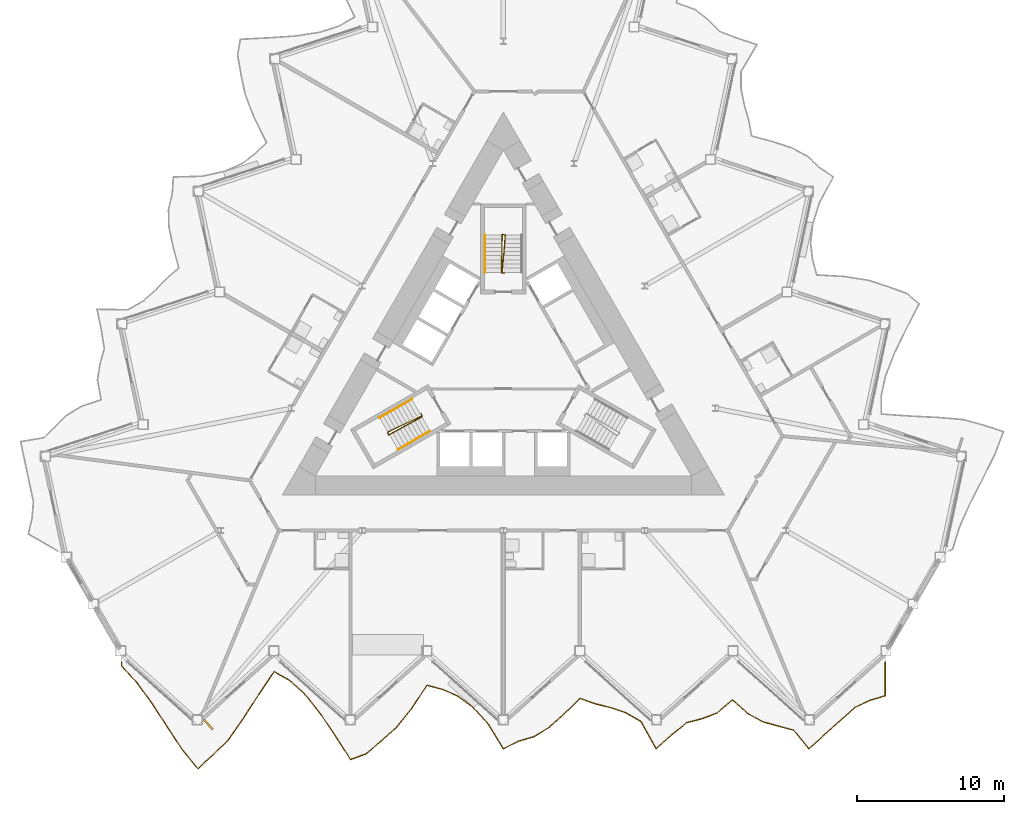
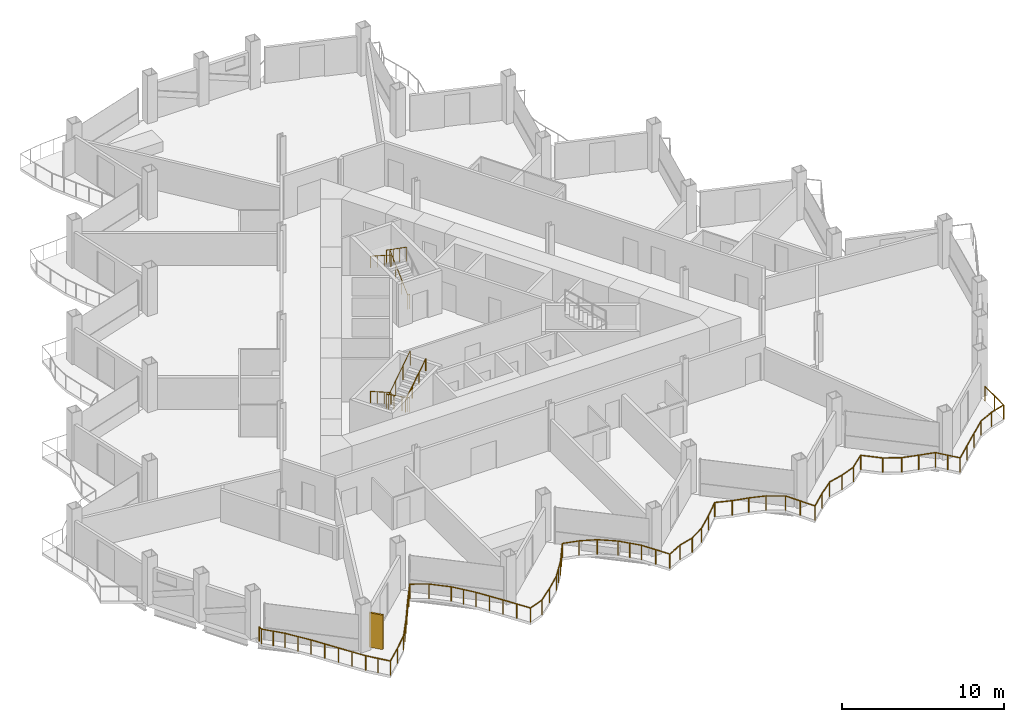
# One storey, part 19 of 23: 6 railings, 1 shading device.
"""IFC4 building model written with IfcOpenShell, lengths in metres."""

from ifc_helpers import new_model, si_unit, direction, frame, origin, origin_2d, place, context, subcontext, project, spatial, rectangle, circle, extrude, material, layer, layer_set, type_object, element, save


model = new_model("IFC4")

# Units and contexts
model_context = context("Model", 3, precision=1e-05, world=origin(), true_north=direction((0.0, 1.0)))
body_context = subcontext(model_context, "Body", "Model", "MODEL_VIEW")
ifc_project = project(units=[si_unit("LENGTHUNIT", "METRE"), si_unit("AREAUNIT", "SQUARE_METRE"), si_unit("VOLUMEUNIT", "CUBIC_METRE"), si_unit("PLANEANGLEUNIT", "RADIAN"), si_unit("MASSUNIT", "GRAM", prefix="KILO")], contexts=[model_context])

# Site, building, storey
site_placement = place(None, origin())
site = spatial("IfcSite", under=ifc_project, at=site_placement, CompositionType="ELEMENT")
building_placement = place(site_placement, origin())
building = spatial("IfcBuilding", under=site, at=building_placement, Name="Cormorant Prow Tower", CompositionType="ELEMENT")
storey_placement = place(building_placement, frame((0.0, 0.0, 252.60009765625)))
storey = spatial("IfcBuildingStorey", under=building, at=storey_placement, Name="L56", CompositionType="ELEMENT", Elevation=252.60009765625)

# Railings
ifc_material_1 = material(Name="Aluminium 6063-T6", Category="aluminium")
railing_type_1 = type_object("IfcRailingType", Name="Balcony guard 1100", PredefinedType="GUARDRAIL", material=ifc_material_1)
railing_1_placement = place(storey_placement, frame((-25.8974609375, -19.973388671875, 0.0)))
element("IfcRailing", 1, at=railing_1_placement, inside=storey, type_object=railing_type_1, Name="Balcony guard S", PredefinedType="GUARDRAIL", context=body_context, shape_type="SweptSolid", body=[
    extrude(circle(Radius=0.02392578125, at=origin_2d()), frame((0.0, 0.0, 1.076171875), z_axis=(0.0, -1.0, 0.0), x_axis=(1.0, 0.0, 0.0)), (0.0, 0.0, 1.0), 0.27001953125),
    extrude(circle(Radius=0.02392578125, at=origin_2d()), frame((0.0, -0.27001953125, 1.076171875), z_axis=(0.680481856102, -0.732764930599, 0.0), x_axis=(0.732764930599, 0.680481856102, 0.0)), (0.0, 0.0, 1.0), 1.522216796875),
    extrude(circle(Radius=0.02392578125, at=origin_2d()), frame((1.035888671875, -1.385498046875, 1.076171875), z_axis=(0.587389439089, -0.809304421616, 0.0), x_axis=(0.809304421616, 0.587389439089, 0.0)), (0.0, 0.0, 1.0), 1.763427734375),
    extrude(circle(Radius=0.02392578125, at=origin_2d()), frame((2.07177734375, -2.812744140625, 1.076171875), z_axis=(0.544735618128, -0.838607838231, 0.0), x_axis=(0.838607838231, 0.544735618128, 0.0)), (0.0, 0.0, 1.0), 1.901611328125),
    extrude(circle(Radius=0.02392578125, at=origin_2d()), frame((3.107666015625, -4.407470703125, 1.076171875), z_axis=(0.551068360191, -0.83446010234, 0.0), x_axis=(0.83446010234, 0.551068360191, 0.0)), (0.0, 0.0, 1.0), 1.8798828125),
    extrude(circle(Radius=0.02392578125, at=origin_2d()), frame((4.1435546875, -5.97607421875, 1.076171875), z_axis=(0.635723007907, -0.771917260603, 0.0), x_axis=(0.771917260603, 0.635723007907, 0.0)), (0.0, 0.0, 1.0), 1.62939453125),
    extrude(circle(Radius=0.02392578125, at=origin_2d()), frame((5.179443359375, -7.23388671875, 1.076171875), z_axis=(0.743093821491, 0.669187247683, 0.0), x_axis=(-0.669187247683, 0.743093821491, 0.0)), (0.0, 0.0, 1.0), 1.39404296875),
    extrude(circle(Radius=0.02392578125, at=origin_2d()), frame((6.21533203125, -6.301025390625, 1.076171875), z_axis=(0.712963473906, 0.701201172899, 0.0), x_axis=(-0.701201172899, 0.712963473906, 0.0)), (0.0, 0.0, 1.0), 1.452880859375),
    extrude(circle(Radius=0.02392578125, at=origin_2d()), frame((7.251220703125, -5.2822265625, 1.076171875), z_axis=(0.571399825957, 0.820671821678, 0.0), x_axis=(-0.820671821678, 0.571399825957, 0.0)), (0.0, 0.0, 1.0), 1.81298828125),
    extrude(circle(Radius=0.02392578125, at=origin_2d()), frame((8.287109375, -3.79443359375, 1.076171875), z_axis=(0.541699329154, 0.840572326926, 0.0), x_axis=(-0.840572326926, 0.541699329154, 0.0)), (0.0, 0.0, 1.0), 1.912353515625),
    extrude(circle(Radius=0.02392578125, at=origin_2d()), frame((9.322998046875, -2.18701171875, 1.076171875), z_axis=(0.560754630421, 0.827982031484, 0.0), x_axis=(-0.827982031484, 0.560754630421, 0.0)), (0.0, 0.0, 1.0), 1.847412109375),
    extrude(circle(Radius=0.02392578125, at=origin_2d()), frame((10.35888671875, -0.657470703125, 1.076171875), z_axis=(0.869702561761, -0.493576188715, 0.0), x_axis=(0.493576188715, 0.869702561761, 0.0)), (0.0, 0.0, 1.0), 1.191162109375),
    extrude(circle(Radius=0.02392578125, at=origin_2d()), frame((11.394775390625, -1.245361328125, 1.076171875), z_axis=(0.740224191917, -0.672360130957, 0.0), x_axis=(0.672360130957, 0.740224191917, 0.0)), (0.0, 0.0, 1.0), 1.3994140625),
    extrude(circle(Radius=0.02392578125, at=origin_2d()), frame((12.4306640625, -2.186279296875, 1.076171875), z_axis=(0.625755603892, -0.780019181943, 0.0), x_axis=(0.780019181943, 0.625755603892, 0.0)), (0.0, 0.0, 1.0), 1.655517578125),
    extrude(circle(Radius=0.02392578125, at=origin_2d()), frame((13.466552734375, -3.4775390625, 1.076171875), z_axis=(0.558918446338, -0.829222630144, 0.0), x_axis=(0.829222630144, 0.558918446338, 0.0)), (0.0, 0.0, 1.0), 1.853271484375),
    extrude(circle(Radius=0.02392578125, at=origin_2d()), frame((14.50244140625, -5.014404296875, 1.076171875), z_axis=(0.542080319834, -0.840326678649, 0.0), x_axis=(0.840326678649, 0.542080319834, 0.0)), (0.0, 0.0, 1.0), 1.911376953125),
    extrude(circle(Radius=0.02392578125, at=origin_2d()), frame((15.53857421875, -6.62060546875, 1.076171875), z_axis=(0.936773013032, 0.349937597373, 0.0), x_axis=(-0.349937597373, 0.936773013032, 0.0)), (0.0, 0.0, 1.0), 1.105712890625),
    extrude(circle(Radius=0.02392578125, at=origin_2d()), frame((16.574462890625, -6.233642578125, 1.076171875), z_axis=(0.767494280324, 0.641055792946, 0.0), x_axis=(-0.641055792946, 0.767494280324, 0.0)), (0.0, 0.0, 1.0), 1.349609375),
    extrude(circle(Radius=0.02392578125, at=origin_2d()), frame((17.6103515625, -5.368408203125, 1.076171875), z_axis=(0.743093821491, 0.669187247683, 0.0), x_axis=(-0.669187247683, 0.743093821491, 0.0)), (0.0, 0.0, 1.0), 1.39404296875),
    extrude(circle(Radius=0.02392578125, at=origin_2d()), frame((18.646240234375, -4.435546875, 1.076171875), z_axis=(0.6284991437, 0.77781027659, 0.0), x_axis=(-0.77781027659, 0.6284991437, 0.0)), (0.0, 0.0, 1.0), 1.648193359375),
    extrude(circle(Radius=0.02392578125, at=origin_2d()), frame((19.68212890625, -3.153564453125, 1.076171875), z_axis=(0.549756895545, 0.83532470082, 0.0), x_axis=(-0.83532470082, 0.549756895545, 0.0)), (0.0, 0.0, 1.0), 1.88427734375),
    extrude(circle(Radius=0.02392578125, at=origin_2d()), frame((20.718017578125, -1.57958984375, 1.076171875), z_axis=(0.966713515695, -0.255861248674, 0.0), x_axis=(0.255861248674, 0.966713515695, 0.0)), (0.0, 0.0, 1.0), 1.071533203125),
    extrude(circle(Radius=0.02392578125, at=origin_2d()), frame((21.75390625, -1.853759765625, 1.076171875), z_axis=(0.917447781883, -0.397856214628, 0.0), x_axis=(0.397856214628, 0.917447781883, 0.0)), (0.0, 0.0, 1.0), 1.129150390625),
    extrude(circle(Radius=0.02392578125, at=origin_2d()), frame((22.789794921875, -2.302978515625, 1.076171875), z_axis=(0.804187958149, -0.594375073475, 0.0), x_axis=(0.594375073475, 0.804187958149, 0.0)), (0.0, 0.0, 1.0), 1.2880859375),
    extrude(circle(Radius=0.02392578125, at=origin_2d()), frame((23.82568359375, -3.068603515625, 1.076171875), z_axis=(0.675465068493, -0.737391986155, 0.0), x_axis=(0.737391986155, 0.675465068493, 0.0)), (0.0, 0.0, 1.0), 1.53369140625),
    extrude(circle(Radius=0.02392578125, at=origin_2d()), frame((24.861572265625, -4.199462890625, 1.076171875), z_axis=(0.523870079516, -0.851798180198, 0.0), x_axis=(0.851798180198, 0.523870079516, 0.0)), (0.0, 0.0, 1.0), 1.977294921875),
    extrude(circle(Radius=0.02392578125, at=origin_2d()), frame((25.8974609375, -5.8837890625, 1.076171875), z_axis=(0.895816294336, 0.444424534428, 0.0), x_axis=(-0.444424534428, 0.895816294336, 0.0)), (0.0, 0.0, 1.0), 1.15625),
    extrude(circle(Radius=0.02392578125, at=origin_2d()), frame((26.933349609375, -5.369873046875, 1.076171875), z_axis=(0.959911268083, 0.28030404458, 0.0), x_axis=(-0.28030404458, 0.959911268083, 0.0)), (0.0, 0.0, 1.0), 1.0791015625),
    extrude(circle(Radius=0.02392578125, at=origin_2d()), frame((27.96923828125, -5.0673828125, 1.076171875), z_axis=(0.853724183098, 0.520725473924, 0.0), x_axis=(-0.520725473924, 0.853724183098, 0.0)), (0.0, 0.0, 1.0), 1.21337890625),
    extrude(circle(Radius=0.02392578125, at=origin_2d()), frame((29.005126953125, -4.435546875, 1.076171875), z_axis=(0.743180914128, 0.669090523678, 0.0), x_axis=(-0.669090523678, 0.743180914128, 0.0)), (0.0, 0.0, 1.0), 1.393798828125),
    extrude(circle(Radius=0.02392578125, at=origin_2d()), frame((30.041015625, -3.5029296875, 1.076171875), z_axis=(0.7063572428, 0.707855525898, 0.0), x_axis=(-0.707855525898, 0.7063572428, 0.0)), (0.0, 0.0, 1.0), 1.466552734375),
    extrude(circle(Radius=0.02392578125, at=origin_2d()), frame((31.076904296875, -2.46484375, 1.076171875), z_axis=(0.94211808637, -0.335281242145, 0.0), x_axis=(0.335281242145, 0.94211808637, 0.0)), (0.0, 0.0, 1.0), 1.099609375),
    extrude(circle(Radius=0.02392578125, at=origin_2d()), frame((32.11279296875, -2.83349609375, 1.076171875), z_axis=(0.970504690177, -0.241082239794, 0.0), x_axis=(0.241082239794, 0.970504690177, 0.0)), (0.0, 0.0, 1.0), 1.0673828125),
    extrude(circle(Radius=0.02392578125, at=origin_2d()), frame((33.148681640625, -3.0908203125, 1.076171875), z_axis=(0.949174297029, -0.314750939411, 0.0), x_axis=(0.314750939411, 0.949174297029, 0.0)), (0.0, 0.0, 1.0), 1.09130859375),
    extrude(circle(Radius=0.02392578125, at=origin_2d()), frame((34.1845703125, -3.434326171875, 1.076171875), z_axis=(0.864583362877, -0.502489411467, 0.0), x_axis=(0.502489411467, 0.864583362877, 0.0)), (0.0, 0.0, 1.0), 1.1982421875),
    extrude(circle(Radius=0.02392578125, at=origin_2d()), frame((35.220458984375, -4.036376953125, 1.076171875), z_axis=(0.489084165063, -0.872236596048, 0.0), x_axis=(0.872236596048, 0.489084165063, 0.0)), (0.0, 0.0, 1.0), 2.117919921875),
    extrude(circle(Radius=0.02392578125, at=origin_2d()), frame((36.25634765625, -5.8837890625, 1.076171875), z_axis=(0.743172233243, 0.669100165698, 0.0), x_axis=(-0.669100165698, 0.743172233243, 0.0)), (0.0, 0.0, 1.0), 1.394287109375),
    extrude(circle(Radius=0.02392578125, at=origin_2d()), frame((37.29248046875, -4.950927734375, 1.076171875), z_axis=(0.776779953516, 0.629772104666, 0.0), x_axis=(-0.629772104666, 0.776779953516, 0.0)), (0.0, 0.0, 1.0), 1.33349609375),
    extrude(circle(Radius=0.02392578125, at=origin_2d()), frame((38.328369140625, -4.111083984375, 1.076171875), z_axis=(0.969697239778, 0.244309768872, 0.0), x_axis=(-0.244309768872, 0.969697239778, 0.0)), (0.0, 0.0, 1.0), 1.068359375),
    extrude(circle(Radius=0.02392578125, at=origin_2d()), frame((39.3642578125, -3.85009765625, 1.076171875), z_axis=(0.933928683632, 0.357459387749, 0.0), x_axis=(-0.357459387749, 0.933928683632, 0.0)), (0.0, 0.0, 1.0), 1.109130859375),
    extrude(circle(Radius=0.02392578125, at=origin_2d()), frame((40.400146484375, -3.45361328125, 1.076171875), z_axis=(0.760836555937, 0.648943553131, 0.0), x_axis=(-0.648943553131, 0.760836555937, 0.0)), (0.0, 0.0, 1.0), 1.361572265625),
    extrude(circle(Radius=0.02392578125, at=origin_2d()), frame((41.43603515625, -2.570068359375, 1.076171875), z_axis=(0.743093821491, -0.669187247683, 0.0), x_axis=(0.669187247683, 0.743093821491, 0.0)), (0.0, 0.0, 1.0), 1.39404296875),
    extrude(circle(Radius=0.02392578125, at=origin_2d()), frame((42.471923828125, -3.5029296875, 1.076171875), z_axis=(0.880271170731, -0.474470932703, 0.0), x_axis=(0.474470932703, 0.880271170731, 0.0)), (0.0, 0.0, 1.0), 1.1767578125),
    extrude(circle(Radius=0.02392578125, at=origin_2d()), frame((43.5078125, -4.061279296875, 1.076171875), z_axis=(0.963787522925, -0.266671353268, 0.0), x_axis=(0.266671353268, 0.963787522925, 0.0)), (0.0, 0.0, 1.0), 1.07470703125),
    extrude(circle(Radius=0.02392578125, at=origin_2d()), frame((44.543701171875, -4.347900390625, 1.076171875), z_axis=(0.965806701137, -0.259263217675, 0.0), x_axis=(0.259263217675, 0.965806701137, 0.0)), (0.0, 0.0, 1.0), 1.072509765625),
    extrude(circle(Radius=0.02392578125, at=origin_2d()), frame((45.57958984375, -4.6259765625, 1.076171875), z_axis=(0.635723007907, -0.771917260603, 0.0), x_axis=(0.771917260603, 0.635723007907, 0.0)), (0.0, 0.0, 1.0), 1.62939453125),
    extrude(circle(Radius=0.02392578125, at=origin_2d()), frame((46.615478515625, -5.8837890625, 1.076171875), z_axis=(0.743093821491, 0.669187247683, 0.0), x_axis=(-0.669187247683, 0.743093821491, 0.0)), (0.0, 0.0, 1.0), 1.39404296875),
    extrude(circle(Radius=0.02392578125, at=origin_2d()), frame((47.6513671875, -4.950927734375, 1.076171875), z_axis=(0.743180914128, 0.669090523678, 0.0), x_axis=(-0.669090523678, 0.743180914128, 0.0)), (0.0, 0.0, 1.0), 1.393798828125),
    extrude(circle(Radius=0.02392578125, at=origin_2d()), frame((48.687255859375, -4.018310546875, 1.076171875), z_axis=(0.743180914128, 0.669090523678, 0.0), x_axis=(-0.669090523678, 0.743180914128, 0.0)), (0.0, 0.0, 1.0), 1.393798828125),
    extrude(circle(Radius=0.02392578125, at=origin_2d()), frame((49.72314453125, -3.085693359375, 1.076171875), z_axis=(0.90586107613, 0.423574917521, 0.0), x_axis=(-0.423574917521, 0.90586107613, 0.0)), (0.0, 0.0, 1.0), 1.1435546875),
    extrude(circle(Radius=0.02392578125, at=origin_2d()), frame((50.759033203125, -2.601318359375, 1.076171875), z_axis=(0.958439578878, 0.285295589942, 0.0), x_axis=(-0.285295589942, 0.958439578878, 0.0)), (0.0, 0.0, 1.0), 1.080810546875),
    extrude(circle(Radius=0.02392578125, at=origin_2d()), frame((51.794921875, -2.29296875, 1.076171875), z_axis=(0.0, 1.0, 0.0), x_axis=(-1.0, 0.0, 0.0)), (0.0, 0.0, 1.0), 2.29296875),
    extrude(circle(Radius=0.02099609375, at=origin_2d()), origin(), (0.0, 0.0, 1.0), 1.052001953125),
    extrude(circle(Radius=0.02099609375, at=origin_2d()), frame((0.0, -0.27001953125, 0.0)), (0.0, 0.0, 1.0), 1.052001953125),
    extrude(circle(Radius=0.02099609375, at=origin_2d()), frame((0.51806640625, -0.82763671875, 0.0)), (0.0, 0.0, 1.0), 1.052001953125),
    extrude(circle(Radius=0.02099609375, at=origin_2d()), frame((1.035888671875, -1.385498046875, 0.0)), (0.0, 0.0, 1.0), 1.052001953125),
    extrude(circle(Radius=0.02099609375, at=origin_2d()), frame((1.5537109375, -2.09912109375, 0.0)), (0.0, 0.0, 1.0), 1.052001953125),
    extrude(circle(Radius=0.02099609375, at=origin_2d()), frame((2.07177734375, -2.812744140625, 0.0)), (0.0, 0.0, 1.0), 1.052001953125),
    extrude(circle(Radius=0.02099609375, at=origin_2d()), frame((2.58984375, -3.610107421875, 0.0)), (0.0, 0.0, 1.0), 1.052001953125),
    extrude(circle(Radius=0.02099609375, at=origin_2d()), frame((3.107666015625, -4.407470703125, 0.0)), (0.0, 0.0, 1.0), 1.052001953125),
    extrude(circle(Radius=0.02099609375, at=origin_2d()), frame((3.62548828125, -5.19189453125, 0.0)), (0.0, 0.0, 1.0), 1.052001953125),
    extrude(circle(Radius=0.02099609375, at=origin_2d()), frame((4.1435546875, -5.97607421875, 0.0)), (0.0, 0.0, 1.0), 1.052001953125),
    extrude(circle(Radius=0.02099609375, at=origin_2d()), frame((4.66162109375, -6.60498046875, 0.0)), (0.0, 0.0, 1.0), 1.052001953125),
    extrude(circle(Radius=0.02099609375, at=origin_2d()), frame((5.179443359375, -7.23388671875, 0.0)), (0.0, 0.0, 1.0), 1.052001953125),
    extrude(circle(Radius=0.02099609375, at=origin_2d()), frame((6.21533203125, -6.301025390625, 0.0)), (0.0, 0.0, 1.0), 1.052001953125),
    extrude(circle(Radius=0.02099609375, at=origin_2d()), frame((7.251220703125, -5.2822265625, 0.0)), (0.0, 0.0, 1.0), 1.052001953125),
    extrude(circle(Radius=0.02099609375, at=origin_2d()), frame((7.76904296875, -4.538330078125, 0.0)), (0.0, 0.0, 1.0), 1.052001953125),
    extrude(circle(Radius=0.02099609375, at=origin_2d()), frame((8.287109375, -3.79443359375, 0.0)), (0.0, 0.0, 1.0), 1.052001953125),
    extrude(circle(Radius=0.02099609375, at=origin_2d()), frame((8.80517578125, -2.99072265625, 0.0)), (0.0, 0.0, 1.0), 1.052001953125),
    extrude(circle(Radius=0.02099609375, at=origin_2d()), frame((9.322998046875, -2.18701171875, 0.0)), (0.0, 0.0, 1.0), 1.052001953125),
    extrude(circle(Radius=0.02099609375, at=origin_2d()), frame((9.8408203125, -1.42236328125, 0.0)), (0.0, 0.0, 1.0), 1.052001953125),
    extrude(circle(Radius=0.02099609375, at=origin_2d()), frame((10.35888671875, -0.657470703125, 0.0)), (0.0, 0.0, 1.0), 1.052001953125),
    extrude(circle(Radius=0.02099609375, at=origin_2d()), frame((11.394775390625, -1.245361328125, 0.0)), (0.0, 0.0, 1.0), 1.052001953125),
    extrude(circle(Radius=0.02099609375, at=origin_2d()), frame((12.4306640625, -2.186279296875, 0.0)), (0.0, 0.0, 1.0), 1.052001953125),
    extrude(circle(Radius=0.02099609375, at=origin_2d()), frame((12.94873046875, -2.83203125, 0.0)), (0.0, 0.0, 1.0), 1.052001953125),
    extrude(circle(Radius=0.02099609375, at=origin_2d()), frame((13.466552734375, -3.4775390625, 0.0)), (0.0, 0.0, 1.0), 1.052001953125),
    extrude(circle(Radius=0.02099609375, at=origin_2d()), frame((13.984375, -4.24609375, 0.0)), (0.0, 0.0, 1.0), 1.052001953125),
    extrude(circle(Radius=0.02099609375, at=origin_2d()), frame((14.50244140625, -5.014404296875, 0.0)), (0.0, 0.0, 1.0), 1.052001953125),
    extrude(circle(Radius=0.02099609375, at=origin_2d()), frame((15.0205078125, -5.8173828125, 0.0)), (0.0, 0.0, 1.0), 1.052001953125),
    extrude(circle(Radius=0.02099609375, at=origin_2d()), frame((15.53857421875, -6.62060546875, 0.0)), (0.0, 0.0, 1.0), 1.052001953125),
    extrude(circle(Radius=0.02099609375, at=origin_2d()), frame((16.574462890625, -6.233642578125, 0.0)), (0.0, 0.0, 1.0), 1.052001953125),
    extrude(circle(Radius=0.02099609375, at=origin_2d()), frame((17.6103515625, -5.368408203125, 0.0)), (0.0, 0.0, 1.0), 1.052001953125),
    extrude(circle(Radius=0.02099609375, at=origin_2d()), frame((18.646240234375, -4.435546875, 0.0)), (0.0, 0.0, 1.0), 1.052001953125),
    extrude(circle(Radius=0.02099609375, at=origin_2d()), frame((19.1640625, -3.79443359375, 0.0)), (0.0, 0.0, 1.0), 1.052001953125),
    extrude(circle(Radius=0.02099609375, at=origin_2d()), frame((19.68212890625, -3.153564453125, 0.0)), (0.0, 0.0, 1.0), 1.052001953125),
    extrude(circle(Radius=0.02099609375, at=origin_2d()), frame((20.2001953125, -2.36669921875, 0.0)), (0.0, 0.0, 1.0), 1.052001953125),
    extrude(circle(Radius=0.02099609375, at=origin_2d()), frame((20.718017578125, -1.57958984375, 0.0)), (0.0, 0.0, 1.0), 1.052001953125),
    extrude(circle(Radius=0.02099609375, at=origin_2d()), frame((21.75390625, -1.853759765625, 0.0)), (0.0, 0.0, 1.0), 1.052001953125),
    extrude(circle(Radius=0.02099609375, at=origin_2d()), frame((22.789794921875, -2.302978515625, 0.0)), (0.0, 0.0, 1.0), 1.052001953125),
    extrude(circle(Radius=0.02099609375, at=origin_2d()), frame((23.82568359375, -3.068603515625, 0.0)), (0.0, 0.0, 1.0), 1.052001953125),
    extrude(circle(Radius=0.02099609375, at=origin_2d()), frame((24.34375, -3.634033203125, 0.0)), (0.0, 0.0, 1.0), 1.052001953125),
    extrude(circle(Radius=0.02099609375, at=origin_2d()), frame((24.861572265625, -4.199462890625, 0.0)), (0.0, 0.0, 1.0), 1.052001953125),
    extrude(circle(Radius=0.02099609375, at=origin_2d()), frame((25.37939453125, -5.04150390625, 0.0)), (0.0, 0.0, 1.0), 1.052001953125),
    extrude(circle(Radius=0.02099609375, at=origin_2d()), frame((25.8974609375, -5.8837890625, 0.0)), (0.0, 0.0, 1.0), 1.052001953125),
    extrude(circle(Radius=0.02099609375, at=origin_2d()), frame((26.933349609375, -5.369873046875, 0.0)), (0.0, 0.0, 1.0), 1.052001953125),
    extrude(circle(Radius=0.02099609375, at=origin_2d()), frame((27.96923828125, -5.0673828125, 0.0)), (0.0, 0.0, 1.0), 1.052001953125),
    extrude(circle(Radius=0.02099609375, at=origin_2d()), frame((29.005126953125, -4.435546875, 0.0)), (0.0, 0.0, 1.0), 1.052001953125),
    extrude(circle(Radius=0.02099609375, at=origin_2d()), frame((30.041015625, -3.5029296875, 0.0)), (0.0, 0.0, 1.0), 1.052001953125),
    extrude(circle(Radius=0.02099609375, at=origin_2d()), frame((31.076904296875, -2.46484375, 0.0)), (0.0, 0.0, 1.0), 1.052001953125),
    extrude(circle(Radius=0.02099609375, at=origin_2d()), frame((32.11279296875, -2.83349609375, 0.0)), (0.0, 0.0, 1.0), 1.052001953125),
    extrude(circle(Radius=0.02099609375, at=origin_2d()), frame((33.148681640625, -3.0908203125, 0.0)), (0.0, 0.0, 1.0), 1.052001953125),
    extrude(circle(Radius=0.02099609375, at=origin_2d()), frame((34.1845703125, -3.434326171875, 0.0)), (0.0, 0.0, 1.0), 1.052001953125),
    extrude(circle(Radius=0.02099609375, at=origin_2d()), frame((35.220458984375, -4.036376953125, 0.0)), (0.0, 0.0, 1.0), 1.052001953125),
    extrude(circle(Radius=0.02099609375, at=origin_2d()), frame((35.73828125, -4.9599609375, 0.0)), (0.0, 0.0, 1.0), 1.052001953125),
    extrude(circle(Radius=0.02099609375, at=origin_2d()), frame((36.25634765625, -5.8837890625, 0.0)), (0.0, 0.0, 1.0), 1.052001953125),
    extrude(circle(Radius=0.02099609375, at=origin_2d()), frame((37.29248046875, -4.950927734375, 0.0)), (0.0, 0.0, 1.0), 1.052001953125),
    extrude(circle(Radius=0.02099609375, at=origin_2d()), frame((38.328369140625, -4.111083984375, 0.0)), (0.0, 0.0, 1.0), 1.052001953125),
    extrude(circle(Radius=0.02099609375, at=origin_2d()), frame((39.3642578125, -3.85009765625, 0.0)), (0.0, 0.0, 1.0), 1.052001953125),
    extrude(circle(Radius=0.02099609375, at=origin_2d()), frame((40.400146484375, -3.45361328125, 0.0)), (0.0, 0.0, 1.0), 1.052001953125),
    extrude(circle(Radius=0.02099609375, at=origin_2d()), frame((41.43603515625, -2.570068359375, 0.0)), (0.0, 0.0, 1.0), 1.052001953125),
    extrude(circle(Radius=0.02099609375, at=origin_2d()), frame((42.471923828125, -3.5029296875, 0.0)), (0.0, 0.0, 1.0), 1.052001953125),
    extrude(circle(Radius=0.02099609375, at=origin_2d()), frame((43.5078125, -4.061279296875, 0.0)), (0.0, 0.0, 1.0), 1.052001953125),
    extrude(circle(Radius=0.02099609375, at=origin_2d()), frame((44.543701171875, -4.347900390625, 0.0)), (0.0, 0.0, 1.0), 1.052001953125),
    extrude(circle(Radius=0.02099609375, at=origin_2d()), frame((45.57958984375, -4.6259765625, 0.0)), (0.0, 0.0, 1.0), 1.052001953125),
    extrude(circle(Radius=0.02099609375, at=origin_2d()), frame((46.09765625, -5.2548828125, 0.0)), (0.0, 0.0, 1.0), 1.052001953125),
    extrude(circle(Radius=0.02099609375, at=origin_2d()), frame((46.615478515625, -5.8837890625, 0.0)), (0.0, 0.0, 1.0), 1.052001953125),
    extrude(circle(Radius=0.02099609375, at=origin_2d()), frame((47.6513671875, -4.950927734375, 0.0)), (0.0, 0.0, 1.0), 1.052001953125),
    extrude(circle(Radius=0.02099609375, at=origin_2d()), frame((48.687255859375, -4.018310546875, 0.0)), (0.0, 0.0, 1.0), 1.052001953125),
    extrude(circle(Radius=0.02099609375, at=origin_2d()), frame((49.72314453125, -3.085693359375, 0.0)), (0.0, 0.0, 1.0), 1.052001953125),
    extrude(circle(Radius=0.02099609375, at=origin_2d()), frame((50.759033203125, -2.601318359375, 0.0)), (0.0, 0.0, 1.0), 1.052001953125),
    extrude(circle(Radius=0.02099609375, at=origin_2d()), frame((51.794921875, -2.29296875, 0.0)), (0.0, 0.0, 1.0), 1.052001953125),
    extrude(circle(Radius=0.02099609375, at=origin_2d()), frame((51.794921875, -1.146484375, 0.0)), (0.0, 0.0, 1.0), 1.052001953125),
    extrude(circle(Radius=0.02099609375, at=origin_2d()), frame((51.794921875, 0.0, 0.0)), (0.0, 0.0, 1.0), 1.052001953125),
])
ifc_material_2 = material(Name="Stainless steel", Category="steel")
railing_type_2 = type_object("IfcRailingType", Name="Stair guard 1100", PredefinedType="GUARDRAIL", material=ifc_material_2)
railing_2_placement = place(storey_placement, frame((-5.585205078125, -3.137939453125, 0.0)))
element("IfcRailing", 2, at=railing_2_placement, inside=storey, type_object=railing_type_2, Name="L56 ST1 stair guard 1", PredefinedType="GUARDRAIL", context=body_context, shape_type="SweptSolid", body=[
    extrude(circle(Radius=0.02392578125, at=origin_2d()), frame((0.0, 0.0, 1.076171875), z_axis=(0.501036270542, -0.865426285481, 0.0), x_axis=(0.865426285481, 0.501036270542, 0.0)), (0.0, 0.0, 1.0), 0.150146484375),
    extrude(circle(Radius=0.02392578125, at=origin_2d()), frame((0.0751953125, -0.1298828125, 1.076171875), z_axis=(-0.739739923809, -0.353640102144, 0.572471416997), x_axis=(0.431308035802, -0.902204731895, 0.0)), (0.0, 0.0, 1.0), 3.143798828125),
    extrude(circle(Radius=0.02392578125, at=origin_2d()), frame((-2.25048828125, -1.24169921875, 2.8759765625), z_axis=(0.274721127897, -0.961523947641, 0.0), x_axis=(0.961523947641, 0.274721127897, 0.0)), (0.0, 0.0, 1.0), 0.2060546875),
    extrude(circle(Radius=0.02392578125, at=origin_2d()), frame((-2.19384765625, -1.43994140625, 2.8759765625), z_axis=(0.717223475266, 0.39568267656, 0.573607623727), x_axis=(-0.483052234887, 0.87559153626, 0.0)), (0.0, 0.0, 1.0), 3.13818359375),
    extrude(circle(Radius=0.02099609375, at=origin_2d()), origin(), (0.0, 0.0, 1.0), 1.052001953125),
    extrude(circle(Radius=0.02099609375, at=origin_2d()), frame((0.0751953125, -0.1298828125, 0.0)), (0.0, 0.0, 1.0), 1.052001953125),
    extrude(circle(Radius=0.02099609375, at=origin_2d()), frame((-0.699951171875, -0.50048828125, 0.599853515625)), (0.0, 0.0, 1.0), 1.052001953125),
    extrude(circle(Radius=0.02099609375, at=origin_2d()), frame((-1.475341796875, -0.87109375, 1.199951171875)), (0.0, 0.0, 1.0), 1.052001953125),
    extrude(circle(Radius=0.02099609375, at=origin_2d()), frame((-2.25048828125, -1.24169921875, 1.7998046875)), (0.0, 0.0, 1.0), 1.052001953125),
    extrude(circle(Radius=0.02099609375, at=origin_2d()), frame((-2.19384765625, -1.43994140625, 1.7998046875)), (0.0, 0.0, 1.0), 1.052001953125),
    extrude(circle(Radius=0.02099609375, at=origin_2d()), frame((-1.443603515625, -1.026123046875, 2.39990234375)), (0.0, 0.0, 1.0), 1.052001953125),
    extrude(circle(Radius=0.02099609375, at=origin_2d()), frame((-0.693359375, -0.612060546875, 2.999755859375)), (0.0, 0.0, 1.0), 1.052001953125),
    extrude(circle(Radius=0.02099609375, at=origin_2d()), frame((0.056884765625, -0.1982421875, 3.599853515625)), (0.0, 0.0, 1.0), 1.052001953125),
])
railing_3_placement = place(storey_placement, frame((0.074951171875, 6.40576171875, 0.0)))
element("IfcRailing", 3, at=railing_3_placement, inside=storey, type_object=railing_type_2, Name="L56 ST3 stair guard 1", PredefinedType="GUARDRAIL", context=body_context, shape_type="SweptSolid", body=[
    extrude(circle(Radius=0.02392578125, at=origin_2d()), frame((0.0, 0.0, 1.076171875), z_axis=(-1.0, 0.0, 0.0), x_axis=(0.0, -1.0, 0.0)), (0.0, 0.0, 1.0), 0.14990234375),
    extrude(circle(Radius=0.02392578125, at=origin_2d()), frame((-0.14990234375, 0.0, 1.076171875), z_axis=(0.063598367685, 0.817460337751, 0.572462962848), x_axis=(-0.996987254287, 0.077565551559, 0.0)), (0.0, 0.0, 1.0), 3.14404296875),
    extrude(circle(Radius=0.02392578125, at=origin_2d()), frame((0.050048828125, 2.570068359375, 2.8759765625), z_axis=(-0.970072785993, 0.242814311512, 0.0), x_axis=(-0.242814311512, -0.970072785993, 0.0)), (0.0, 0.0, 1.0), 0.2060546875),
    extrude(circle(Radius=0.02392578125, at=origin_2d()), frame((-0.14990234375, 2.6201171875, 2.8759765625), z_axis=(-0.01594855688, -0.818977845239, 0.573603462805), x_axis=(0.999810440751, -0.019470042781, 0.0)), (0.0, 0.0, 1.0), 3.13818359375),
    extrude(circle(Radius=0.02099609375, at=origin_2d()), origin(), (0.0, 0.0, 1.0), 1.052001953125),
    extrude(circle(Radius=0.02099609375, at=origin_2d()), frame((-0.14990234375, 0.0, 0.0)), (0.0, 0.0, 1.0), 1.052001953125),
    extrude(circle(Radius=0.02099609375, at=origin_2d()), frame((-0.083251953125, 0.856689453125, 0.599853515625)), (0.0, 0.0, 1.0), 1.052001953125),
    extrude(circle(Radius=0.02099609375, at=origin_2d()), frame((-0.0166015625, 1.71337890625, 1.199951171875)), (0.0, 0.0, 1.0), 1.052001953125),
    extrude(circle(Radius=0.02099609375, at=origin_2d()), frame((0.050048828125, 2.570068359375, 1.7998046875)), (0.0, 0.0, 1.0), 1.052001953125),
    extrude(circle(Radius=0.02099609375, at=origin_2d()), frame((-0.14990234375, 2.6201171875, 1.7998046875)), (0.0, 0.0, 1.0), 1.052001953125),
    extrude(circle(Radius=0.02099609375, at=origin_2d()), frame((-0.16650390625, 1.763427734375, 2.39990234375)), (0.0, 0.0, 1.0), 1.052001953125),
    extrude(circle(Radius=0.02099609375, at=origin_2d()), frame((-0.183349609375, 0.90673828125, 2.999755859375)), (0.0, 0.0, 1.0), 1.052001953125),
    extrude(circle(Radius=0.02099609375, at=origin_2d()), frame((-0.199951171875, 0.050048828125, 3.599853515625)), (0.0, 0.0, 1.0), 1.052001953125),
])
ifc_material_3 = material(Name="Stainless steel", Category="steel")
railing_type_3 = type_object("IfcRailingType", Name="Stair handrail 900", PredefinedType="HANDRAIL", material=ifc_material_3)
railing_4_placement = place(storey_placement, frame((-6.212890625, -2.150634765625, 0.179931640625)))
element("IfcRailing", 4, at=railing_4_placement, inside=storey, type_object=railing_type_3, Name="L56 ST1 stair handrail 1", PredefinedType="HANDRAIL", context=body_context, shape_type="SweptSolid", body=[
    extrude(circle(Radius=0.02392578125, at=origin_2d()), frame((0.0, 0.0, 0.8759765625), z_axis=(-0.72849590497, -0.42060268101, 0.54072830624), x_axis=(0.500004791531, -0.866022637375, 0.0)), (0.0, 0.0, 1.0), 2.99560546875),
    extrude(circle(Radius=0.02099609375, at=origin_2d()), origin(), (0.0, 0.0, 1.0), 0.851806640625),
    extrude(circle(Radius=0.02099609375, at=origin_2d()), frame((-0.7275390625, -0.419921875, 0.5400390625)), (0.0, 0.0, 1.0), 0.851806640625),
    extrude(circle(Radius=0.02099609375, at=origin_2d()), frame((-1.454833984375, -0.840087890625, 1.079833984375)), (0.0, 0.0, 1.0), 0.851806640625),
    extrude(circle(Radius=0.02099609375, at=origin_2d()), frame((-2.182373046875, -1.260009765625, 1.619873046875)), (0.0, 0.0, 1.0), 0.851806640625),
])
railing_5_placement = place(storey_placement, frame((-7.1513671875, -5.565185546875, 1.97998046875)))
element("IfcRailing", 5, at=railing_5_placement, inside=storey, type_object=railing_type_3, Name="L56 ST1 stair handrail 2", PredefinedType="HANDRAIL", context=body_context, shape_type="SweptSolid", body=[
    extrude(circle(Radius=0.02392578125, at=origin_2d()), frame((0.0, 0.0, 0.8759765625), z_axis=(0.72849590497, 0.42060268101, 0.54072830624), x_axis=(-0.500004791531, 0.866022637375, 0.0)), (0.0, 0.0, 1.0), 2.99560546875),
    extrude(circle(Radius=0.02099609375, at=origin_2d()), origin(), (0.0, 0.0, 1.0), 0.851806640625),
    extrude(circle(Radius=0.02099609375, at=origin_2d()), frame((0.7275390625, 0.419921875, 0.5400390625)), (0.0, 0.0, 1.0), 0.851806640625),
    extrude(circle(Radius=0.02099609375, at=origin_2d()), frame((1.454833984375, 0.840087890625, 1.079833984375)), (0.0, 0.0, 1.0), 0.851806640625),
    extrude(circle(Radius=0.02099609375, at=origin_2d()), frame((2.182373046875, 1.260009765625, 1.619873046875)), (0.0, 0.0, 1.0), 0.851806640625),
])
railing_6_placement = place(storey_placement, frame((-1.243896484375, 8.975830078125, 1.97998046875)))
element("IfcRailing", 6, at=railing_6_placement, inside=storey, type_object=railing_type_3, Name="L56 ST3 stair handrail 2", PredefinedType="HANDRAIL", context=body_context, shape_type="SweptSolid", body=[
    extrude(circle(Radius=0.02392578125, at=origin_2d()), frame((0.0, 0.0, 0.8759765625), z_axis=(0.0, -0.841199657755, 0.540724639528), x_axis=(1.0, 0.0, 0.0)), (0.0, 0.0, 1.0), 2.995849609375),
    extrude(circle(Radius=0.02099609375, at=origin_2d()), origin(), (0.0, 0.0, 1.0), 0.851806640625),
    extrude(circle(Radius=0.02099609375, at=origin_2d()), frame((0.0, -0.840087890625, 0.5400390625)), (0.0, 0.0, 1.0), 0.851806640625),
    extrude(circle(Radius=0.02099609375, at=origin_2d()), frame((0.0, -1.679931640625, 1.079833984375)), (0.0, 0.0, 1.0), 0.851806640625),
    extrude(circle(Radius=0.02099609375, at=origin_2d()), frame((0.0, -2.52001953125, 1.619873046875)), (0.0, 0.0, 1.0), 0.851806640625),
])

# Shading device
ifc_material_4 = material(Name="Terracotta", Category="masonry")
ifc_layer = layer(ifc_material_4, 0.1201171875)
ifc_layer_set = layer_set([ifc_layer], Name="Terracotta")
shading_device_type = type_object("IfcShadingDeviceType", Name="Terracotta baguette fin 120x900x2600", PredefinedType="USERDEFINED", material=ifc_layer_set)
shading_device_placement = place(storey_placement, frame((-20.0, -24.21630859375, -0.000244140625), z_axis=(0.0, 0.0, 1.0), x_axis=(0.743144829063, 0.669130602377, 0.0)))
element("IfcShadingDevice", 7, at=shading_device_placement, inside=storey, type_object=shading_device_type, Name="Baguette fin S01", ObjectType="BAGUETTE", PredefinedType="USERDEFINED", context=body_context, shape_type="SweptSolid", body=[
    extrude(rectangle(XDim=0.1201171875, YDim=0.89990234375, at=origin_2d()), origin(), (0.0, 0.0, 1.0), 2.60009765625),
])

save(model, "model.ifc")
